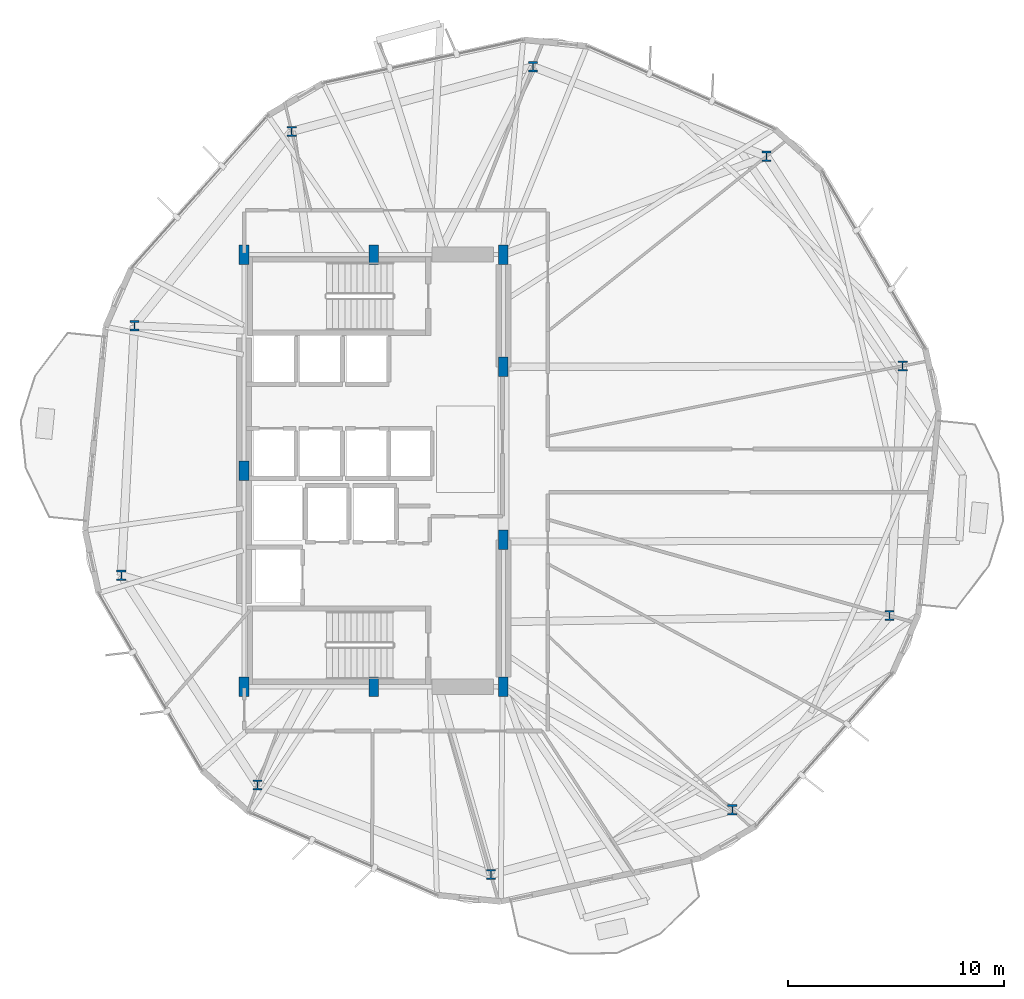
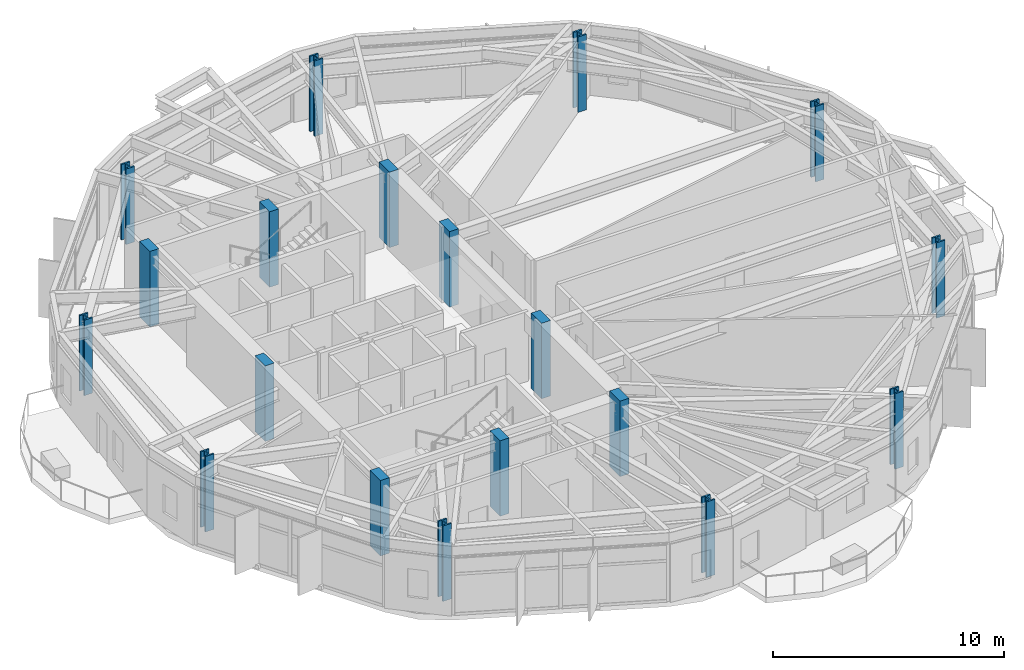
# One storey, part 1 of 22: 19 columns.
"""IFC4 building model written with IfcOpenShell, lengths in metres."""

from ifc_helpers import new_model, si_unit, direction, frame, origin, origin_2d, place, context, subcontext, project, spatial, rectangle, i_section, extrude, material, material_profile, profile_set, type_object, element, save


model = new_model("IFC4")

# Units and contexts
model_context = context("Model", 3, precision=1e-05, world=origin(), true_north=direction((0.0, 1.0)))
body_context = subcontext(model_context, "Body", "Model", "MODEL_VIEW")
ifc_project = project(units=[si_unit("LENGTHUNIT", "METRE"), si_unit("AREAUNIT", "SQUARE_METRE"), si_unit("VOLUMEUNIT", "CUBIC_METRE"), si_unit("PLANEANGLEUNIT", "RADIAN"), si_unit("MASSUNIT", "GRAM", prefix="KILO")], contexts=[model_context])

# Site, building, storey
site_placement = place(None, origin())
site = spatial("IfcSite", under=ifc_project, at=site_placement, CompositionType="ELEMENT")
building_placement = place(site_placement, origin())
building = spatial("IfcBuilding", under=site, at=building_placement, Name="Soratama Intermodal Tower", CompositionType="ELEMENT")
storey_placement = place(building_placement, frame((0.0, 0.0, 74.60009765625)))
storey = spatial("IfcBuildingStorey", under=building, at=storey_placement, Name="L17", CompositionType="ELEMENT", Elevation=74.60009765625)

# Columns
ifc_material_1 = material(Name="Structural steel ASTM A992 Grade 50", Category="steel")
ifc_material_profile_1 = material_profile(ifc_material_1, i_section(OverallWidth=0.424072265625, OverallDepth=0.47412109375, WebThickness=0.047607421875, FlangeThickness=0.0771484375, FilletRadius=0.0380859375, at=origin_2d()), Name="W14X426")
ifc_profile_set_1 = profile_set([ifc_material_profile_1], Name="Structural steel ASTM A992 Grade 50")
column_type_1 = type_object("IfcColumnType", Name="COL-ZA-W14X426", PredefinedType="COLUMN", material=ifc_profile_set_1)
for number, where, z_axis, x_axis, name in (
    (1, (63.08203125, 29.84521484375, 0.0), (0.0, 0.0, 1.0), (1.0, 0.0, 0.0), "L17 Tower Ring Column R01"),
    (2, (56.781005859375, 39.548095703125, 0.0), (0.0, 0.0, 1.0), (1.0, 0.0, 0.0), "L17 Tower Ring Column R02"),
    (3, (45.979736328125, 43.6943359375, 0.0), (0.0, 0.0, 1.0), (1.0, 0.0, 0.0), "L17 Tower Ring Column R03"),
    (4, (34.804443359375, 40.699951171875, 0.0), (0.0, 0.0, 1.0), (1.0, 0.0, 0.0), "L17 Tower Ring Column R04"),
    (5, (27.5234375, 31.70849609375, 0.0), (0.0, 0.0, 1.0), (1.0, 0.0, 0.0), "L17 Tower Ring Column R05"),
    (6, (26.91796875, 20.15478515625, 0.0), (0.0, 0.0, 1.0), (1.0, 0.0, 0.0), "L17 Tower Ring Column R06"),
    (7, (33.218994140625, 10.451904296875, 0.0), (0.0, 0.0, 1.0), (1.0, 0.0, 0.0), "L17 Tower Ring Column R07"),
    (8, (44.020263671875, 6.3056640625, 0.0), (0.0, 0.0, 1.0), (1.0, 0.0, 0.0), "L17 Tower Ring Column R08"),
    (9, (55.195556640625, 9.300048828125, 0.0), (0.0, 0.0, 1.0), (1.0, 0.0, 0.0), "L17 Tower Ring Column R09"),
    (10, (62.4765625, 18.29150390625, 0.0), (0.0, 0.0, 1.0), (1.0, 0.0, 0.0), "L17 Tower Ring Column R10"),
):
    element("IfcColumn", number, at=place(storey_placement, frame(where, z_axis=z_axis, x_axis=x_axis)), inside=storey, type_object=column_type_1, Name=name, PredefinedType="COLUMN", context=body_context, shape_type="SweptSolid", body=[
        extrude(i_section(OverallWidth=0.424072265625, OverallDepth=0.47412109375, WebThickness=0.047607421875, FlangeThickness=0.0771484375, FilletRadius=0.0380859375, at=origin_2d()), origin(), (0.0, 0.0, 1.0), 4.0),
    ])
ifc_material_2 = material(Name="Concrete f'c 56 MPa", Category="concrete")
ifc_material_profile_2 = material_profile(ifc_material_2, rectangle(XDim=0.449951171875, YDim=0.89990234375, at=origin_2d()), Name="RC450X900")
ifc_profile_set_2 = profile_set([ifc_material_profile_2], Name="Concrete f'c 56 MPa")
column_type_2 = type_object("IfcColumnType", Name="PIL-CORE-450X900", PredefinedType="PILASTER", material=ifc_profile_set_2)
for number, where, z_axis, x_axis, name in (
    (11, (32.60009765625, 15.0, 0.0), (0.0, 0.0, 1.0), (1.0, 0.0, 0.0), "L17 Core Pilaster 1"),
    (12, (32.60009765625, 25.0, 0.0), (0.0, 0.0, 1.0), (1.0, 0.0, 0.0), "L17 Core Pilaster 2"),
    (13, (32.60009765625, 35.0, 0.0), (0.0, 0.0, 1.0), (1.0, 0.0, 0.0), "L17 Core Pilaster 3"),
    (14, (38.60009765625, 15.0, 0.0), (0.0, 0.0, 1.0), (1.0, 0.0, 0.0), "L17 Core Pilaster 4"),
    (15, (38.60009765625, 35.0, 0.0), (0.0, 0.0, 1.0), (1.0, 0.0, 0.0), "L17 Core Pilaster 5"),
    (16, (44.60009765625, 15.0, 0.0), (0.0, 0.0, 1.0), (1.0, 0.0, 0.0), "L17 Core Pilaster 6"),
    (17, (44.60009765625, 21.800048828125, 0.0), (0.0, 0.0, 1.0), (1.0, 0.0, 0.0), "L17 Core Pilaster 7"),
    (18, (44.60009765625, 29.800048828125, 0.0), (0.0, 0.0, 1.0), (1.0, 0.0, 0.0), "L17 Core Pilaster 8"),
    (19, (44.60009765625, 35.0, 0.0), (0.0, 0.0, 1.0), (1.0, 0.0, 0.0), "L17 Core Pilaster 9"),
):
    element("IfcColumn", number, at=place(storey_placement, frame(where, z_axis=z_axis, x_axis=x_axis)), inside=storey, type_object=column_type_2, Name=name, PredefinedType="PILASTER", context=body_context, shape_type="SweptSolid", body=[
        extrude(rectangle(XDim=0.449951171875, YDim=0.89990234375, at=origin_2d()), origin(), (0.0, 0.0, 1.0), 4.0),
    ])

save(model, "model.ifc")
